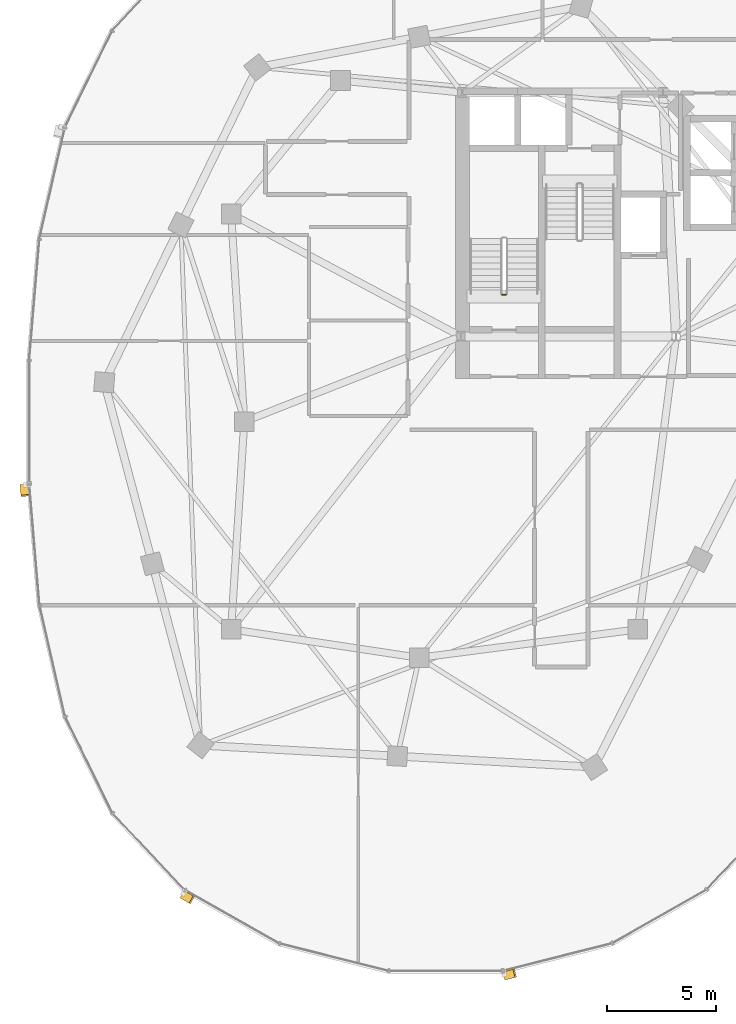
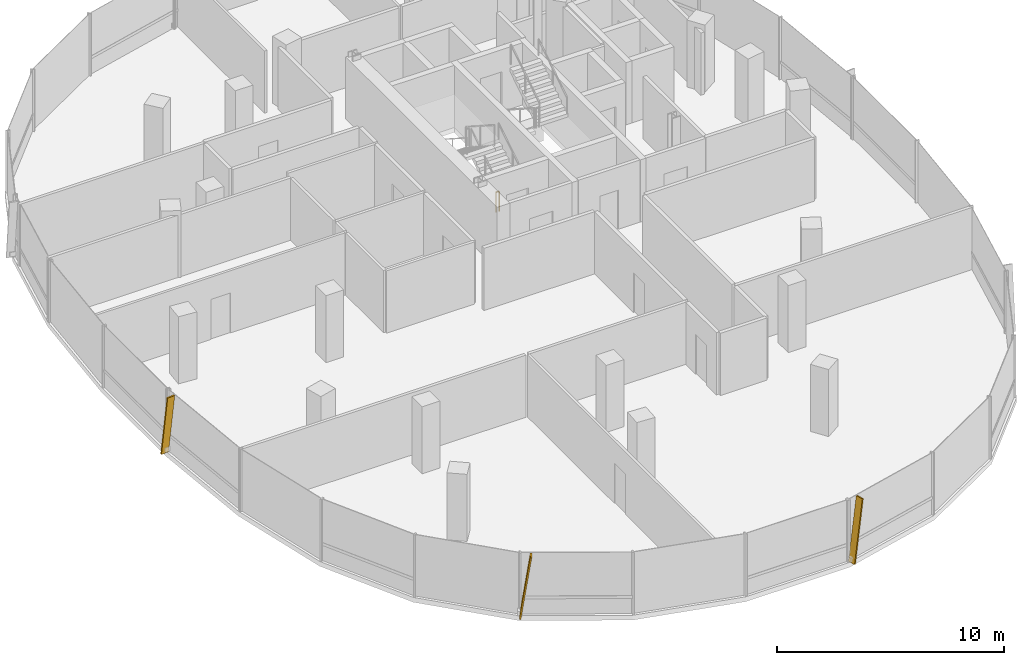
# One storey, part 21 of 25: 3 shading devices, 1 railing.
"""IFC4 building model written with IfcOpenShell, lengths in metres."""

import ifcopenshell
import ifcopenshell.guid

model = None  # the IFC model being written
_history = None  # IfcOwnerHistory: only IFC2X3 demands one
_inside = {}  # id of a spatial element -> (the spatial element, [elements in it])
_under = {}  # id of a project, library or spatial element -> (it, [spatial elements below it])
_declared = {}  # id of a project -> (the project, [libraries it declares])
_typed = {}  # id of a type object -> (the type object, [elements of that type])
_made_of = {}  # id of a material, layer set ... -> (it, [elements and type objects made of it])


def new_model(schema):
    """Start an empty IFC model of exactly this schema.

    Asked for "IFC4X3", IfcOpenShell would pick the latest addendum, in which some entities
    have other attributes; the version numbers below select the first issue.
    IFC2X3 requires an IfcOwnerHistory on every rooted entity: one is made here for all.
    """
    global model, _history
    if schema == "IFC4X3":
        model = ifcopenshell.file(schema_version=(4, 3, 0, 0))
    else:
        model = ifcopenshell.file(schema=schema)
    _inside.clear()
    _under.clear()
    _declared.clear()
    _typed.clear()
    _made_of.clear()
    _history = None
    if model.schema == "IFC2X3":
        org = make("IfcOrganization", Name="unknown")
        user = make(
            "IfcPersonAndOrganization",
            ThePerson=make("IfcPerson", FamilyName="unknown"),
            TheOrganization=org,
        )
        app = make(
            "IfcApplication",
            ApplicationDeveloper=org,
            Version="unknown",
            ApplicationFullName="unknown",
            ApplicationIdentifier="unknown",
        )
        _history = make(
            "IfcOwnerHistory",
            OwningUser=user,
            OwningApplication=app,
            ChangeAction="ADDED",
            CreationDate=0,
        )
    return model


def make(cls, **values):
    """One entity of the class cls with the attributes given. An attribute that is None is left unset."""
    return model.create_entity(
        cls, **{name: value for name, value in values.items() if value is not None}
    )


def rooted(cls, **values):
    """An entity with a GlobalId (a new one), such as an element, a storey or a relation."""
    return make(cls, GlobalId=ifcopenshell.guid.new(), OwnerHistory=_history, **values)


def si_unit(unit_type, name, prefix=None):
    """IfcSIUnit, for example si_unit("LENGTHUNIT", "METRE", prefix="MILLI")."""
    return make("IfcSIUnit", UnitType=unit_type, Prefix=prefix, Name=name)


def assignment(units):
    """IfcUnitAssignment: the units of a project."""
    return None if units is None else make("IfcUnitAssignment", Units=units)


def point(xyz):
    """IfcCartesianPoint."""
    return None if xyz is None else make("IfcCartesianPoint", Coordinates=xyz)


def direction(xyz):
    """IfcDirection."""
    return None if xyz is None else make("IfcDirection", DirectionRatios=xyz)


def frame(location, z_axis=None, x_axis=None):
    """IfcAxis2Placement3D, a coordinate frame: its origin and axes. An axis left out is left unset."""
    return make(
        "IfcAxis2Placement3D",
        Location=point(location),
        Axis=direction(z_axis),
        RefDirection=direction(x_axis),
    )


def frame_2d(location, x_axis=None):
    """IfcAxis2Placement2D, a coordinate frame in the plane: its origin and x axis."""
    return make(
        "IfcAxis2Placement2D", Location=point(location), RefDirection=direction(x_axis)
    )


def origin():
    """The frame at (0, 0, 0) with its axes left unset."""
    return frame((0.0, 0.0, 0.0))


def origin_2d():
    """The frame at (0, 0) in the plane with its x axis left unset."""
    return frame_2d((0.0, 0.0))


def place(relative_to, where):
    """IfcLocalPlacement: puts the frame where relative to a parent placement (None: the world)."""
    return make(
        "IfcLocalPlacement", PlacementRelTo=relative_to, RelativePlacement=where
    )


def context(
    kind, dimensions, precision=None, world=None, true_north=None, identifier=None
):
    """IfcGeometricRepresentationContext, for example the 3D "Model" context."""
    return make(
        "IfcGeometricRepresentationContext",
        ContextIdentifier=identifier,
        ContextType=kind,
        CoordinateSpaceDimension=dimensions,
        Precision=precision,
        WorldCoordinateSystem=world,
        TrueNorth=true_north,
    )


def subcontext(parent, identifier, kind, view, scale=None):
    """IfcGeometricRepresentationSubContext, for example "Body" below "Model"."""
    return make(
        "IfcGeometricRepresentationSubContext",
        ContextIdentifier=identifier,
        ContextType=kind,
        ParentContext=parent,
        TargetScale=scale,
        TargetView=view,
    )


def project(units=None, contexts=None):
    """IfcProject with its units and contexts."""
    return rooted(
        "IfcProject",
        Name="project",
        RepresentationContexts=contexts,
        UnitsInContext=assignment(units),
    )


def spatial(cls, under=None, at=None, **own):
    """A site, building, storey or space (cls), placed at a placement, below another one or the project."""
    s = rooted(cls, ObjectPlacement=at, **own)
    if under is not None:
        _under.setdefault(under.id(), (under, []))[1].append(s)
    return s


def profile(cls, at=None, kind="AREA", **sizes):
    """A parametric profile (cls). Its sizes go by their IFC names, for example OverallWidth=200.0."""
    return make(cls, ProfileType=kind, Position=at, **sizes)


def rectangle(**sizes):
    """IfcRectangleProfileDef."""
    return profile("IfcRectangleProfileDef", **sizes)


def extrude(swept, where, along, depth):
    """IfcExtrudedAreaSolid: the profile swept, set in the frame where, extruded along a direction by depth."""
    return make(
        "IfcExtrudedAreaSolid",
        SweptArea=swept,
        Position=where,
        ExtrudedDirection=direction(along),
        Depth=depth,
    )


def shape(context_of_items, identifier, shape_type, items):
    """IfcShapeRepresentation: the items that make up one representation, for example the "Body"."""
    return make(
        "IfcShapeRepresentation",
        ContextOfItems=context_of_items,
        RepresentationIdentifier=identifier,
        RepresentationType=shape_type,
        Items=items,
    )


def material(Name=None, Category=None):
    """IfcMaterial."""
    return make("IfcMaterial", Name=Name, Category=Category)


def material_profile(
    of_material, cross_section, Name=None, Category=None, Priority=None
):
    """IfcMaterialProfile: a cross section and its material."""
    return make(
        "IfcMaterialProfile",
        Name=Name,
        Material=of_material,
        Profile=cross_section,
        Priority=Priority,
        Category=Category,
    )


def profile_set(profiles, Name=None, composite=None):
    """IfcMaterialProfileSet."""
    return make(
        "IfcMaterialProfileSet",
        Name=Name,
        MaterialProfiles=profiles,
        CompositeProfile=composite,
    )


def made_of(thing, what):
    """Note that an element or type object is made of a material, layer set ...; save() writes the relation."""
    if what is not None:
        _made_of.setdefault(what.id(), (what, []))[1].append(thing)
    return thing


def type_object(cls, material=None, **own):
    """A type object (cls), such as IfcWallType, which elements share."""
    return made_of(rooted(cls, **own), material)


def element(
    cls,
    number,
    at=None,
    inside=None,
    cuts=None,
    type_object=None,
    material=None,
    context=None,
    identifier="Body",
    shape_type=None,
    held_by="IfcProductDefinitionShape",
    body=None,
    shapes=None,
    **own,
):
    """One element of the class cls, such as IfcWall. Its Tag is "e" and its number.

    at: its placement. inside: the storey or other place that contains it. cuts: it is an
    opening in that element (IfcRelVoidsElement). A single representation is given by context,
    identifier, shape_type and body (its items); several are given by shapes. held_by: the class
    of the entity that holds the representations. save() writes the other relations.
    """
    e = rooted(cls, Tag="e%d" % number, ObjectPlacement=at, **own)
    if body is not None:
        shapes = [shape(context, identifier, shape_type, body)]
    if shapes is not None:
        e.Representation = make(held_by, Representations=shapes)
    if inside is not None:
        _inside.setdefault(inside.id(), (inside, []))[1].append(e)
    if cuts is not None:
        rooted(
            "IfcRelVoidsElement", RelatingBuildingElement=cuts, RelatedOpeningElement=e
        )
    if type_object is not None:
        _typed.setdefault(type_object.id(), (type_object, []))[1].append(e)
    return made_of(e, material)


def aggregate(whole, parts):
    """IfcRelAggregates: a whole, such as a stair, and the parts it consists of."""
    return rooted("IfcRelAggregates", RelatingObject=whole, RelatedObjects=parts)


def save(model, path):
    """Write the relations noted so far, then the file.

    IfcRelAggregates (storeys below a building ...), IfcRelContainedInSpatialStructure (elements
    in a storey), IfcRelDefinesByType, IfcRelAssociatesMaterial and IfcRelDeclares: one each for
    every whole, place, type object, material and project.
    """
    for whole, parts in _under.values():
        aggregate(whole, parts)
    for where, things in _inside.values():
        rooted(
            "IfcRelContainedInSpatialStructure",
            RelatedElements=things,
            RelatingStructure=where,
        )
    for kind, things in _typed.values():
        rooted("IfcRelDefinesByType", RelatedObjects=things, RelatingType=kind)
    for what, things in _made_of.values():
        rooted("IfcRelAssociatesMaterial", RelatedObjects=things, RelatingMaterial=what)
    for by, libraries in _declared.values():
        rooted("IfcRelDeclares", RelatingContext=by, RelatedDefinitions=libraries)
    model.write(path)


model = new_model("IFC4")

# Units and contexts
model_context = context("Model", 3, precision=1e-05, world=origin(), true_north=direction((0.0, 1.0)))
body_context = subcontext(model_context, "Body", "Model", "MODEL_VIEW")
ifc_project = project(units=[si_unit("LENGTHUNIT", "METRE"), si_unit("AREAUNIT", "SQUARE_METRE"), si_unit("VOLUMEUNIT", "CUBIC_METRE"), si_unit("PLANEANGLEUNIT", "RADIAN"), si_unit("MASSUNIT", "GRAM", prefix="KILO"), si_unit("THERMODYNAMICTEMPERATUREUNIT", "KELVIN"), si_unit("POWERUNIT", "WATT")], contexts=[model_context])

# Site, building, storey
site_placement = place(None, origin())
site = spatial("IfcSite", under=ifc_project, at=site_placement, CompositionType="ELEMENT")
building_placement = place(site_placement, origin())
building = spatial("IfcBuilding", under=site, at=building_placement, Name="Cundina Bronze Exchange", CompositionType="ELEMENT")
storey_placement = place(building_placement, frame((0.0, 0.0, 209.800048828125)))
storey = spatial("IfcBuildingStorey", under=building, at=storey_placement, Name="L55", CompositionType="ELEMENT", Elevation=209.800048828125)

# Railing
ifc_material_1 = material(Name="Steel ASTM A36 Painted", Category="steel")
railing_type = type_object("IfcRailingType", Name="RLG-STG-1100", PredefinedType="GUARDRAIL", material=ifc_material_1)
railing_placement = place(storey_placement, frame((-29.239990234375, 5.800048828125, 0.0)))
element("IfcRailing", 1, at=railing_placement, inside=storey, type_object=railing_type, Name="L55 ST-W1 stair guard 4", PredefinedType="GUARDRAIL", context=body_context, shape_type="SweptSolid", body=[
    extrude(rectangle(XDim=0.048095703125, YDim=0.048095703125, at=origin_2d()), frame((0.0, 0.0, 1.076171875), z_axis=(-1.0, 0.0, 0.0), x_axis=(0.0, -1.0, 0.0)), (0.0, 0.0, 1.0), 0.159912109375),
    extrude(rectangle(XDim=0.0419921875, YDim=0.0419921875, at=origin_2d()), origin(), (0.0, 0.0, 1.0), 1.052001953125),
    extrude(rectangle(XDim=0.0419921875, YDim=0.0419921875, at=origin_2d()), frame((-0.159912109375, 0.0, 0.0)), (0.0, 0.0, 1.0), 1.052001953125),
])

# Shading devices
ifc_material_2 = material(Name="Anodised Bronze Aluminium 6063-T6", Category="aluminium")
ifc_material_profile = material_profile(ifc_material_2, rectangle(XDim=0.070068359375, YDim=0.3798828125, at=origin_2d()), Name="FIN70X380", Category="aluminium")
ifc_profile_set = profile_set([ifc_material_profile], Name="Anodised Bronze Aluminium 6063-T6")
shading_device_type = type_object("IfcShadingDeviceType", Name="SHD-FIN-BRZ380", PredefinedType="USERDEFINED", material=ifc_profile_set)
for number, where, z_axis, x_axis, name in (
    (2, (-51.264404296875, -2.90283203125, 0.02001953125), (0.012006555776, -0.143419772964, 0.98958911238), (-0.082555834947, 0.986139516224, 0.143921466983), "L55 Diagonal Bronze Solar Fin 1"),
    (3, (-44.015625, -21.635498046875, 0.02001953125), (0.125189514072, -0.071087145125, 0.989582843103), (-0.860526986551, 0.488638423358, 0.143964567292), "L55 Diagonal Bronze Solar Fin 5"),
    (4, (-29.294189453125, -25.344482421875, 0.02001953125), (0.139611891367, 0.03514090606, 0.989582556693), (-0.959650042543, -0.24154799183, 0.143966536007), "L55 Diagonal Bronze Solar Fin 1"),
):
    element("IfcShadingDevice", number, at=place(storey_placement, frame(where, z_axis=z_axis, x_axis=x_axis)), inside=storey, type_object=shading_device_type, Name=name, ObjectType="FIN", PredefinedType="USERDEFINED", context=body_context, shape_type="SweptSolid", body=[
        extrude(rectangle(XDim=0.070068359375, YDim=0.3798828125, at=origin_2d()), origin(), (0.0, 0.0, 1.0), 3.334716796875),
    ])

save(model, "model.ifc")
